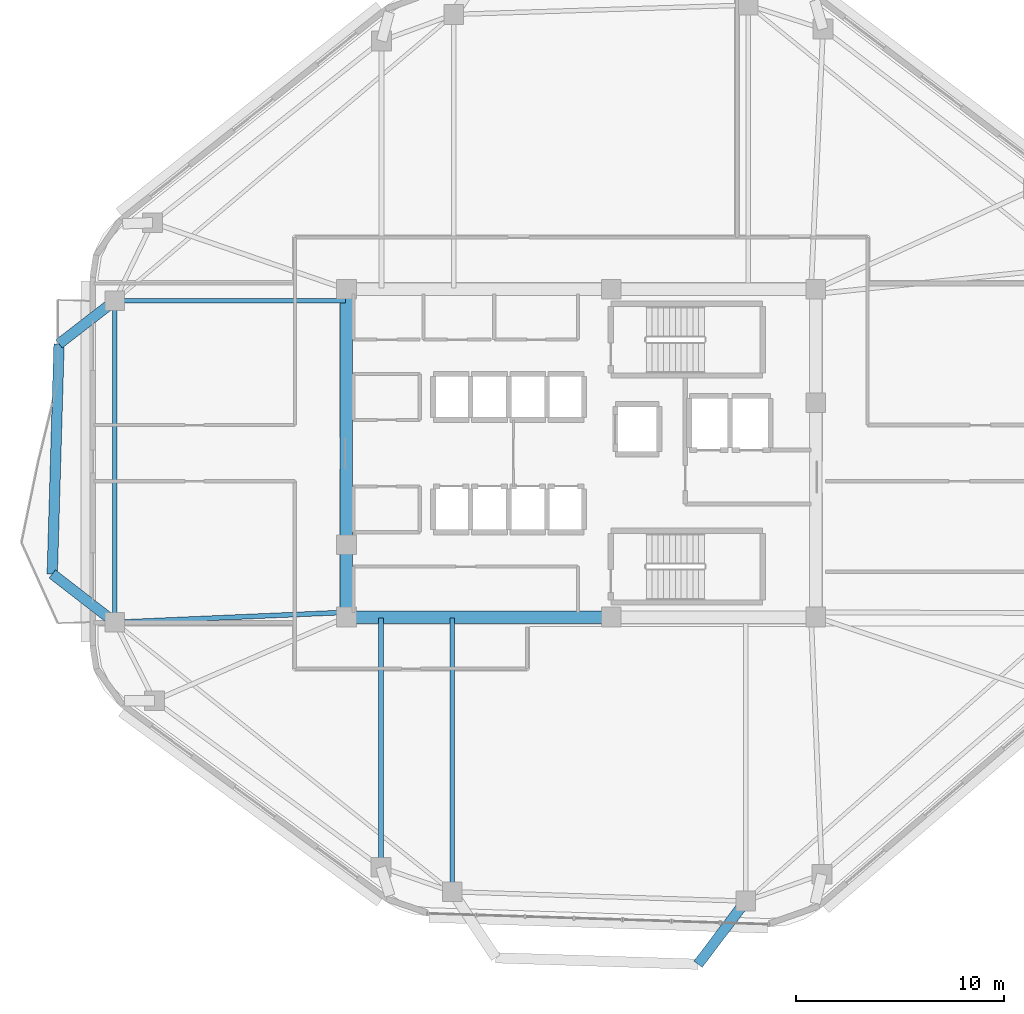
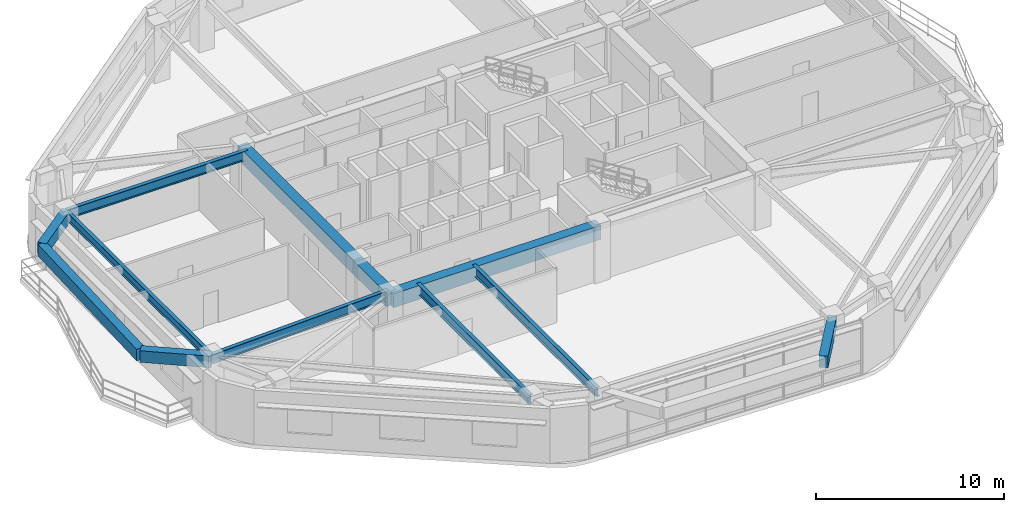
# One storey, part 4 of 12: 12 beams.
"""IFC4 building model written with IfcOpenShell, lengths in metres."""

import ifcopenshell
import ifcopenshell.guid

model = None  # the IFC model being written
_history = None  # IfcOwnerHistory: only IFC2X3 demands one
_inside = {}  # id of a spatial element -> (the spatial element, [elements in it])
_under = {}  # id of a project, library or spatial element -> (it, [spatial elements below it])
_declared = {}  # id of a project -> (the project, [libraries it declares])
_typed = {}  # id of a type object -> (the type object, [elements of that type])
_made_of = {}  # id of a material, layer set ... -> (it, [elements and type objects made of it])


def new_model(schema):
    """Start an empty IFC model of exactly this schema.

    Asked for "IFC4X3", IfcOpenShell would pick the latest addendum, in which some entities
    have other attributes; the version numbers below select the first issue.
    IFC2X3 requires an IfcOwnerHistory on every rooted entity: one is made here for all.
    """
    global model, _history
    if schema == "IFC4X3":
        model = ifcopenshell.file(schema_version=(4, 3, 0, 0))
    else:
        model = ifcopenshell.file(schema=schema)
    _inside.clear()
    _under.clear()
    _declared.clear()
    _typed.clear()
    _made_of.clear()
    _history = None
    if model.schema == "IFC2X3":
        org = make("IfcOrganization", Name="unknown")
        user = make(
            "IfcPersonAndOrganization",
            ThePerson=make("IfcPerson", FamilyName="unknown"),
            TheOrganization=org,
        )
        app = make(
            "IfcApplication",
            ApplicationDeveloper=org,
            Version="unknown",
            ApplicationFullName="unknown",
            ApplicationIdentifier="unknown",
        )
        _history = make(
            "IfcOwnerHistory",
            OwningUser=user,
            OwningApplication=app,
            ChangeAction="ADDED",
            CreationDate=0,
        )
    return model


def make(cls, **values):
    """One entity of the class cls with the attributes given. An attribute that is None is left unset."""
    return model.create_entity(
        cls, **{name: value for name, value in values.items() if value is not None}
    )


def rooted(cls, **values):
    """An entity with a GlobalId (a new one), such as an element, a storey or a relation."""
    return make(cls, GlobalId=ifcopenshell.guid.new(), OwnerHistory=_history, **values)


def si_unit(unit_type, name, prefix=None):
    """IfcSIUnit, for example si_unit("LENGTHUNIT", "METRE", prefix="MILLI")."""
    return make("IfcSIUnit", UnitType=unit_type, Prefix=prefix, Name=name)


def assignment(units):
    """IfcUnitAssignment: the units of a project."""
    return None if units is None else make("IfcUnitAssignment", Units=units)


def point(xyz):
    """IfcCartesianPoint."""
    return None if xyz is None else make("IfcCartesianPoint", Coordinates=xyz)


def direction(xyz):
    """IfcDirection."""
    return None if xyz is None else make("IfcDirection", DirectionRatios=xyz)


def frame(location, z_axis=None, x_axis=None):
    """IfcAxis2Placement3D, a coordinate frame: its origin and axes. An axis left out is left unset."""
    return make(
        "IfcAxis2Placement3D",
        Location=point(location),
        Axis=direction(z_axis),
        RefDirection=direction(x_axis),
    )


def frame_2d(location, x_axis=None):
    """IfcAxis2Placement2D, a coordinate frame in the plane: its origin and x axis."""
    return make(
        "IfcAxis2Placement2D", Location=point(location), RefDirection=direction(x_axis)
    )


def origin():
    """The frame at (0, 0, 0) with its axes left unset."""
    return frame((0.0, 0.0, 0.0))


def origin_2d():
    """The frame at (0, 0) in the plane with its x axis left unset."""
    return frame_2d((0.0, 0.0))


def place(relative_to, where):
    """IfcLocalPlacement: puts the frame where relative to a parent placement (None: the world)."""
    return make(
        "IfcLocalPlacement", PlacementRelTo=relative_to, RelativePlacement=where
    )


def context(
    kind, dimensions, precision=None, world=None, true_north=None, identifier=None
):
    """IfcGeometricRepresentationContext, for example the 3D "Model" context."""
    return make(
        "IfcGeometricRepresentationContext",
        ContextIdentifier=identifier,
        ContextType=kind,
        CoordinateSpaceDimension=dimensions,
        Precision=precision,
        WorldCoordinateSystem=world,
        TrueNorth=true_north,
    )


def subcontext(parent, identifier, kind, view, scale=None):
    """IfcGeometricRepresentationSubContext, for example "Body" below "Model"."""
    return make(
        "IfcGeometricRepresentationSubContext",
        ContextIdentifier=identifier,
        ContextType=kind,
        ParentContext=parent,
        TargetScale=scale,
        TargetView=view,
    )


def project(units=None, contexts=None):
    """IfcProject with its units and contexts."""
    return rooted(
        "IfcProject",
        Name="project",
        RepresentationContexts=contexts,
        UnitsInContext=assignment(units),
    )


def spatial(cls, under=None, at=None, **own):
    """A site, building, storey or space (cls), placed at a placement, below another one or the project."""
    s = rooted(cls, ObjectPlacement=at, **own)
    if under is not None:
        _under.setdefault(under.id(), (under, []))[1].append(s)
    return s


def profile(cls, at=None, kind="AREA", **sizes):
    """A parametric profile (cls). Its sizes go by their IFC names, for example OverallWidth=200.0."""
    return make(cls, ProfileType=kind, Position=at, **sizes)


def rectangle(**sizes):
    """IfcRectangleProfileDef."""
    return profile("IfcRectangleProfileDef", **sizes)


def i_section(**sizes):
    """IfcIShapeProfileDef."""
    return profile("IfcIShapeProfileDef", **sizes)


def extrude(swept, where, along, depth):
    """IfcExtrudedAreaSolid: the profile swept, set in the frame where, extruded along a direction by depth."""
    return make(
        "IfcExtrudedAreaSolid",
        SweptArea=swept,
        Position=where,
        ExtrudedDirection=direction(along),
        Depth=depth,
    )


def shape(context_of_items, identifier, shape_type, items):
    """IfcShapeRepresentation: the items that make up one representation, for example the "Body"."""
    return make(
        "IfcShapeRepresentation",
        ContextOfItems=context_of_items,
        RepresentationIdentifier=identifier,
        RepresentationType=shape_type,
        Items=items,
    )


def material(Name=None, Category=None):
    """IfcMaterial."""
    return make("IfcMaterial", Name=Name, Category=Category)


def material_profile(
    of_material, cross_section, Name=None, Category=None, Priority=None
):
    """IfcMaterialProfile: a cross section and its material."""
    return make(
        "IfcMaterialProfile",
        Name=Name,
        Material=of_material,
        Profile=cross_section,
        Priority=Priority,
        Category=Category,
    )


def profile_set(profiles, Name=None, composite=None):
    """IfcMaterialProfileSet."""
    return make(
        "IfcMaterialProfileSet",
        Name=Name,
        MaterialProfiles=profiles,
        CompositeProfile=composite,
    )


def made_of(thing, what):
    """Note that an element or type object is made of a material, layer set ...; save() writes the relation."""
    if what is not None:
        _made_of.setdefault(what.id(), (what, []))[1].append(thing)
    return thing


def type_object(cls, material=None, **own):
    """A type object (cls), such as IfcWallType, which elements share."""
    return made_of(rooted(cls, **own), material)


def element(
    cls,
    number,
    at=None,
    inside=None,
    cuts=None,
    type_object=None,
    material=None,
    context=None,
    identifier="Body",
    shape_type=None,
    held_by="IfcProductDefinitionShape",
    body=None,
    shapes=None,
    **own,
):
    """One element of the class cls, such as IfcWall. Its Tag is "e" and its number.

    at: its placement. inside: the storey or other place that contains it. cuts: it is an
    opening in that element (IfcRelVoidsElement). A single representation is given by context,
    identifier, shape_type and body (its items); several are given by shapes. held_by: the class
    of the entity that holds the representations. save() writes the other relations.
    """
    e = rooted(cls, Tag="e%d" % number, ObjectPlacement=at, **own)
    if body is not None:
        shapes = [shape(context, identifier, shape_type, body)]
    if shapes is not None:
        e.Representation = make(held_by, Representations=shapes)
    if inside is not None:
        _inside.setdefault(inside.id(), (inside, []))[1].append(e)
    if cuts is not None:
        rooted(
            "IfcRelVoidsElement", RelatingBuildingElement=cuts, RelatedOpeningElement=e
        )
    if type_object is not None:
        _typed.setdefault(type_object.id(), (type_object, []))[1].append(e)
    return made_of(e, material)


def aggregate(whole, parts):
    """IfcRelAggregates: a whole, such as a stair, and the parts it consists of."""
    return rooted("IfcRelAggregates", RelatingObject=whole, RelatedObjects=parts)


def save(model, path):
    """Write the relations noted so far, then the file.

    IfcRelAggregates (storeys below a building ...), IfcRelContainedInSpatialStructure (elements
    in a storey), IfcRelDefinesByType, IfcRelAssociatesMaterial and IfcRelDeclares: one each for
    every whole, place, type object, material and project.
    """
    for whole, parts in _under.values():
        aggregate(whole, parts)
    for where, things in _inside.values():
        rooted(
            "IfcRelContainedInSpatialStructure",
            RelatedElements=things,
            RelatingStructure=where,
        )
    for kind, things in _typed.values():
        rooted("IfcRelDefinesByType", RelatedObjects=things, RelatingType=kind)
    for what, things in _made_of.values():
        rooted("IfcRelAssociatesMaterial", RelatedObjects=things, RelatingMaterial=what)
    for by, libraries in _declared.values():
        rooted("IfcRelDeclares", RelatingContext=by, RelatedDefinitions=libraries)
    model.write(path)


model = new_model("IFC4")

# Units and contexts
model_context = context("Model", 3, precision=1e-05, world=origin(), true_north=direction((0.0, 1.0)))
body_context = subcontext(model_context, "Body", "Model", "MODEL_VIEW")
ifc_project = project(units=[si_unit("LENGTHUNIT", "METRE"), si_unit("AREAUNIT", "SQUARE_METRE"), si_unit("VOLUMEUNIT", "CUBIC_METRE"), si_unit("PLANEANGLEUNIT", "RADIAN"), si_unit("MASSUNIT", "GRAM", prefix="KILO")], contexts=[model_context])

# Site, building, storey
site_placement = place(None, origin())
site = spatial("IfcSite", under=ifc_project, at=site_placement, CompositionType="ELEMENT")
building_placement = place(site_placement, origin())
building = spatial("IfcBuilding", under=site, at=building_placement, Name="Zulverin Broadcast Headquarters", CompositionType="ELEMENT")
storey_placement = place(building_placement, frame((0.0, 0.0, 185.800048828125)))
storey = spatial("IfcBuildingStorey", under=building, at=storey_placement, Name="L47", CompositionType="ELEMENT", Elevation=185.800048828125)

# Beams
ifc_material_1 = material(Name="Concrete C60/75", Category="concrete")
ifc_material_profile_1 = material_profile(ifc_material_1, rectangle(XDim=0.60009765625, YDim=0.89990234375, at=origin_2d()), Name="Concrete C60/75", Category="concrete")
ifc_profile_set_1 = profile_set([ifc_material_profile_1], Name="Concrete C60/75")
beam_type_1 = type_object("IfcBeamType", Name="BM-CB-600x900", PredefinedType="LINTEL", material=ifc_profile_set_1)
beam_1_placement = place(storey_placement, frame((25.72509765625, 17.324951171875, 3.08984375), z_axis=(1.0, 0.0, 0.0), x_axis=(0.0, 1.0, 0.0)))
element("IfcBeam", 1, at=beam_1_placement, inside=storey, type_object=beam_type_1, Name="L47 Core Coupling Girder K01-K02", PredefinedType="LINTEL", context=body_context, shape_type="SweptSolid", body=[
    extrude(rectangle(XDim=0.60009765625, YDim=0.89990234375, at=origin_2d()), origin(), (0.0, 0.0, 1.0), 12.724853515625),
])
beam_2_placement = place(storey_placement, frame((25.72509765625, 33.074951171875, 3.08984375), z_axis=(0.0, -1.0, 0.0), x_axis=(1.0, 0.0, 0.0)))
element("IfcBeam", 2, at=beam_2_placement, inside=storey, type_object=beam_type_1, Name="L47 Core Coupling Girder K07-K08", PredefinedType="LINTEL", context=body_context, shape_type="SweptSolid", body=[
    extrude(rectangle(XDim=0.60009765625, YDim=0.89990234375, at=origin_2d()), origin(), (0.0, 0.0, 1.0), 12.27490234375),
])
beam_3_placement = place(storey_placement, frame((25.72509765625, 20.800048828125, 3.08984375), z_axis=(0.0, -1.0, 0.0), x_axis=(1.0, 0.0, 0.0)))
element("IfcBeam", 3, at=beam_3_placement, inside=storey, type_object=beam_type_1, Name="L47 Core Coupling Girder K08-K01", PredefinedType="LINTEL", context=body_context, shape_type="SweptSolid", body=[
    extrude(rectangle(XDim=0.60009765625, YDim=0.89990234375, at=origin_2d()), origin(), (0.0, 0.0, 1.0), 3.47509765625),
])
ifc_material_2 = material(Name="Concrete C40/50", Category="concrete")
ifc_material_profile_2 = material_profile(ifc_material_2, rectangle(XDim=0.5, YDim=0.75, at=origin_2d()), Name="Concrete C40/50", Category="concrete")
ifc_profile_set_2 = profile_set([ifc_material_profile_2], Name="Concrete C40/50")
beam_type_2 = type_object("IfcBeamType", Name="BM-RC-500x750", PredefinedType="BEAM", material=ifc_profile_set_2)
beam_4_placement = place(storey_placement, frame((14.60009765625, 32.523193359375, 3.1650390625), z_axis=(-0.790653951463, -0.612263284083, 0.0), x_axis=(0.612263284083, -0.790653951463, 0.0)))
element("IfcBeam", 4, at=beam_4_placement, inside=storey, type_object=beam_type_2, Name="L48 Balcony Column-Framed Cantilever BAL_W-1", PredefinedType="BEAM", context=body_context, shape_type="SweptSolid", body=[
    extrude(rectangle(XDim=0.5, YDim=0.75, at=origin_2d()), origin(), (0.0, 0.0, 1.0), 3.388671875),
])
beam_5_placement = place(storey_placement, frame((14.60009765625, 17.072021484375, 3.1650390625), z_axis=(-0.790637422513, 0.612284628356, 0.0), x_axis=(-0.612284628356, -0.790637422513, 0.0)))
element("IfcBeam", 5, at=beam_5_placement, inside=storey, type_object=beam_type_2, Name="L48 Balcony Column-Framed Cantilever BAL_W-2", PredefinedType="BEAM", context=body_context, shape_type="SweptSolid", body=[
    extrude(rectangle(XDim=0.5, YDim=0.75, at=origin_2d()), origin(), (0.0, 0.0, 1.0), 3.800048828125),
])
beam_6_placement = place(storey_placement, frame((11.9208984375, 30.448486328125, 3.1650390625), z_axis=(-0.029417223527, -0.999567219831, 0.0), x_axis=(0.999567219831, -0.029417223527, 0.0)))
element("IfcBeam", 6, at=beam_6_placement, inside=storey, type_object=beam_type_2, Name="L48 Balcony Outer Edge Trimmer Beam BAL_W", PredefinedType="BEAM", context=body_context, shape_type="SweptSolid", body=[
    extrude(rectangle(XDim=0.5, YDim=0.75, at=origin_2d()), origin(), (0.0, 0.0, 1.0), 11.0546875),
])
beam_7_placement = place(storey_placement, frame((44.909912109375, 3.68017578125, 3.1650390625), z_axis=(-0.602566759329, -0.798068481116, 0.0), x_axis=(0.798068481116, -0.602566759329, 0.0)))
element("IfcBeam", 7, at=beam_7_placement, inside=storey, type_object=beam_type_2, Name="L48 Balcony Column-Framed Cantilever BAL_S-2", PredefinedType="BEAM", context=body_context, shape_type="SweptSolid", body=[
    extrude(rectangle(XDim=0.5, YDim=0.75, at=origin_2d()), origin(), (0.0, 0.0, 1.0), 3.800048828125),
])
ifc_material_3 = material(Name="Structural steel S355JR", Category="steel")
ifc_material_profile_3 = material_profile(ifc_material_3, i_section(OverallWidth=0.2119140625, OverallDepth=0.54443359375, WebThickness=0.0126953125, FlangeThickness=0.021240234375, at=origin_2d()), Name="Structural steel S355JR", Category="steel")
ifc_profile_set_3 = profile_set([ifc_material_profile_3], Name="Structural steel S355JR")
beam_type_3 = type_object("IfcBeamType", Name="BM-UB-533", PredefinedType="SPANDREL", material=ifc_profile_set_3)
beam_8_placement = place(storey_placement, frame((14.60009765625, 32.523193359375, 3.267578125), z_axis=(0.0, -1.0, 0.0), x_axis=(1.0, 0.0, 0.0)))
element("IfcBeam", 8, at=beam_8_placement, inside=storey, type_object=beam_type_3, Name="L47 Perimeter Spandrel Beam SP-13", PredefinedType="SPANDREL", context=body_context, shape_type="SweptSolid", body=[
    extrude(i_section(OverallWidth=0.2119140625, OverallDepth=0.54443359375, WebThickness=0.0126953125, FlangeThickness=0.021240234375, at=origin_2d()), origin(), (0.0, 0.0, 1.0), 15.451171875),
])
ifc_material_profile_4 = material_profile(ifc_material_3, i_section(OverallWidth=0.230224609375, OverallDepth=0.6171875, WebThickness=0.01318359375, FlangeThickness=0.022216796875, at=origin_2d()), Name="Structural steel S355JR", Category="steel")
ifc_profile_set_4 = profile_set([ifc_material_profile_4], Name="Structural steel S355JR")
beam_type_4 = type_object("IfcBeamType", Name="BM-UB-610", PredefinedType="BEAM", material=ifc_profile_set_4)
beam_9_placement = place(storey_placement, frame((30.80859375, 17.27490234375, 3.2314453125), z_axis=(0.0, -1.0, 0.0), x_axis=(1.0, 0.0, 0.0)))
element("IfcBeam", 9, at=beam_9_placement, inside=storey, type_object=beam_type_4, Name="L47 Radial Primary Floor Beam RB-01", PredefinedType="BEAM", context=body_context, shape_type="SweptSolid", body=[
    extrude(i_section(OverallWidth=0.230224609375, OverallDepth=0.6171875, WebThickness=0.01318359375, FlangeThickness=0.022216796875, at=origin_2d()), origin(), (0.0, 0.0, 1.0), 13.1474609375),
])
beam_10_placement = place(storey_placement, frame((25.675048828125, 32.523193359375, 3.2314453125), z_axis=(-1.0, 0.0, 0.0), x_axis=(0.0, -1.0, 0.0)))
element("IfcBeam", 10, at=beam_10_placement, inside=storey, type_object=beam_type_4, Name="L47 Radial Primary Floor Beam RB-13", PredefinedType="BEAM", context=body_context, shape_type="SweptSolid", body=[
    extrude(i_section(OverallWidth=0.230224609375, OverallDepth=0.6171875, WebThickness=0.01318359375, FlangeThickness=0.022216796875, at=origin_2d()), origin(), (0.0, 0.0, 1.0), 11.074951171875),
])
beam_11_placement = place(storey_placement, frame((25.675048828125, 17.550048828125, 3.2314453125), z_axis=(-0.999069780306, -0.043122779134, 0.0), x_axis=(0.043122779134, -0.999069780306, 0.0)))
element("IfcBeam", 11, at=beam_11_placement, inside=storey, type_object=beam_type_4, Name="L47 Radial Primary Floor Beam RB-14", PredefinedType="BEAM", context=body_context, shape_type="SweptSolid", body=[
    extrude(i_section(OverallWidth=0.230224609375, OverallDepth=0.6171875, WebThickness=0.01318359375, FlangeThickness=0.022216796875, at=origin_2d()), origin(), (0.0, 0.0, 1.0), 11.085205078125),
])
beam_12_placement = place(storey_placement, frame((27.38720703125, 17.27490234375, 3.2314453125), z_axis=(0.0, -1.0, 0.0), x_axis=(1.0, 0.0, 0.0)))
element("IfcBeam", 12, at=beam_12_placement, inside=storey, type_object=beam_type_4, Name="L47 Radial Primary Floor Beam RB-16", PredefinedType="BEAM", context=body_context, shape_type="SweptSolid", body=[
    extrude(i_section(OverallWidth=0.230224609375, OverallDepth=0.6171875, WebThickness=0.01318359375, FlangeThickness=0.022216796875, at=origin_2d()), origin(), (0.0, 0.0, 1.0), 11.965087890625),
])

save(model, "model.ifc")
